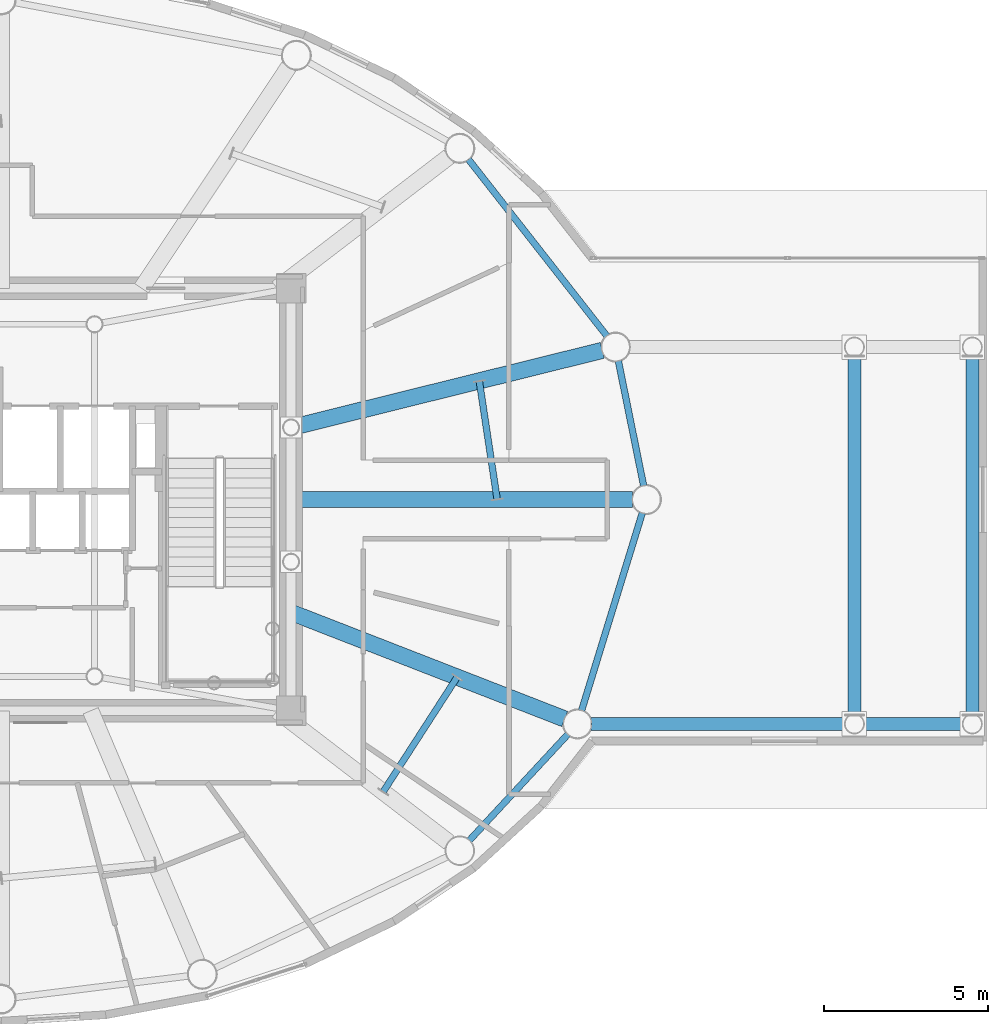
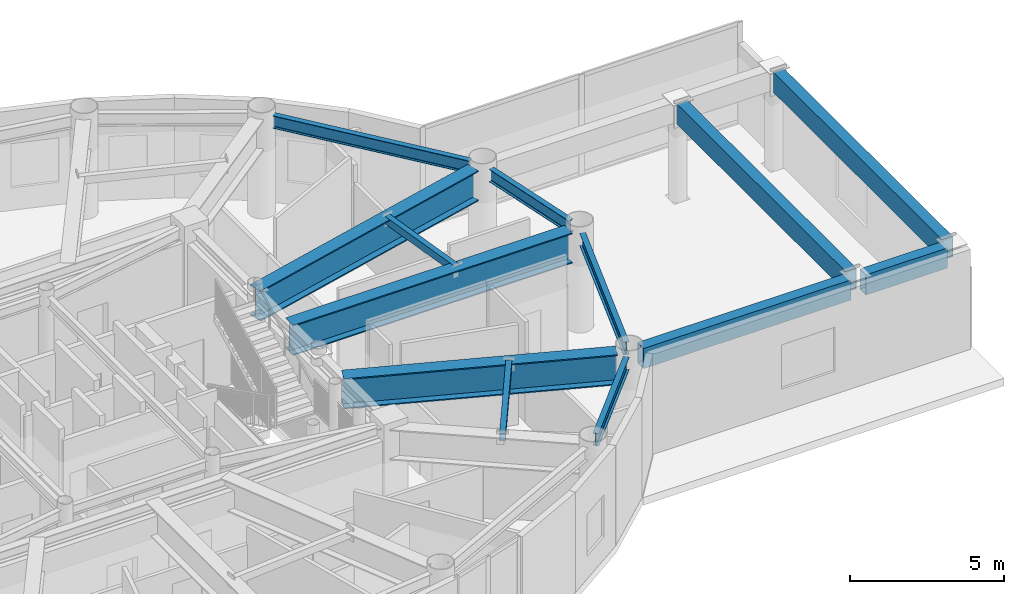
# One storey, part 11 of 26: 13 beams.
"""IFC4 building model written with IfcOpenShell, lengths in metres."""

from ifc_helpers import new_model, si_unit, direction, frame, origin, origin_2d, place, context, subcontext, project, spatial, hollow_rectangle, i_section, extrude, material, material_profile, profile_set, type_object, element, save


model = new_model("IFC4")

# Units and contexts
model_context = context("Model", 3, precision=1e-05, world=origin(), true_north=direction((0.0, 1.0)))
body_context = subcontext(model_context, "Body", "Model", "MODEL_VIEW")
ifc_project = project(units=[si_unit("LENGTHUNIT", "METRE"), si_unit("AREAUNIT", "SQUARE_METRE"), si_unit("VOLUMEUNIT", "CUBIC_METRE"), si_unit("PLANEANGLEUNIT", "RADIAN"), si_unit("MASSUNIT", "GRAM", prefix="KILO")], contexts=[model_context])

# Site, building, storey
site_placement = place(None, origin())
site = spatial("IfcSite", under=ifc_project, at=site_placement, CompositionType="ELEMENT")
building_placement = place(site_placement, origin())
building = spatial("IfcBuilding", under=site, at=building_placement, Name="Linh Dai School and Residence Tower", CompositionType="ELEMENT")
storey_placement = place(building_placement, frame((0.0, 0.0, 351.0)))
storey = spatial("IfcBuildingStorey", under=building, at=storey_placement, Name="L87", CompositionType="ELEMENT", Elevation=351.0)

# Beams
ifc_material = material(Name="Structural Steel S355JR", Category="steel")
ifc_material_profile_1 = material_profile(ifc_material, hollow_rectangle(XDim=0.199951171875, YDim=0.300048828125, WallThickness=0.010009765625, at=origin_2d()), Name="RHS 300x200x10")
ifc_profile_set_1 = profile_set([ifc_material_profile_1], Name="Structural Steel S355JR")
beam_type_1 = type_object("IfcBeamType", Name="BM-BX3", PredefinedType="BEAM", material=ifc_profile_set_1)
beam_1_placement = place(storey_placement, frame((51.142333984375, 27.0048828125, 3.800048828125), z_axis=(-0.149229268392, 0.988802622092, 0.0), x_axis=(-0.988802622092, -0.149229268392, 0.0)))
element("IfcBeam", 1, at=beam_1_placement, inside=storey, type_object=beam_type_1, Name="L87 Secondary Circumferential Floor Beam 01", PredefinedType="BEAM", context=body_context, shape_type="SweptSolid", body=[
    extrude(hollow_rectangle(XDim=0.199951171875, YDim=0.300048828125, WallThickness=0.010009765625, at=origin_2d()), origin(), (0.0, 0.0, 1.0), 3.6533203125),
])
beam_2_placement = place(storey_placement, frame((47.66162109375, 18.075927734375, 3.800048828125), z_axis=(0.542324541187, 0.840169085379, 0.0), x_axis=(-0.840169085379, 0.542324541187, 0.0)))
element("IfcBeam", 2, at=beam_2_placement, inside=storey, type_object=beam_type_1, Name="L87 Secondary Circumferential Floor Beam 08", PredefinedType="BEAM", context=body_context, shape_type="SweptSolid", body=[
    extrude(hollow_rectangle(XDim=0.199951171875, YDim=0.300048828125, WallThickness=0.010009765625, at=origin_2d()), origin(), (0.0, 0.0, 1.0), 4.163330078125),
])
ifc_material_profile_2 = material_profile(ifc_material, hollow_rectangle(XDim=0.39990234375, YDim=0.800048828125, WallThickness=0.02490234375, at=origin_2d()), Name="RHS 800x400x25")
ifc_profile_set_2 = profile_set([ifc_material_profile_2], Name="Structural Steel S355JR")
beam_type_2 = type_object("IfcBeamType", Name="BM-BX8", PredefinedType="BEAM", material=ifc_profile_set_2)
beam_3_placement = place(storey_placement, frame((54.01513671875, 20.1474609375, 3.550048828125), z_axis=(1.0, 0.0, 0.0), x_axis=(0.0, 1.0, 0.0)))
element("IfcBeam", 3, at=beam_3_placement, inside=storey, type_object=beam_type_2, Name="L87 Sky-Lounge Vierendeel Inner Chord S", PredefinedType="BEAM", context=body_context, shape_type="SweptSolid", body=[
    extrude(hollow_rectangle(XDim=0.39990234375, YDim=0.800048828125, WallThickness=0.02490234375, at=origin_2d()), origin(), (0.0, 0.0, 1.0), 7.759765625),
])
beam_4_placement = place(storey_placement, frame((62.324951171875, 20.1474609375, 3.550048828125), z_axis=(1.0, 0.0, 0.0), x_axis=(0.0, 1.0, 0.0)))
element("IfcBeam", 4, at=beam_4_placement, inside=storey, type_object=beam_type_2, Name="L87 Sky-Lounge Vierendeel Outer Chord S", PredefinedType="BEAM", context=body_context, shape_type="SweptSolid", body=[
    extrude(hollow_rectangle(XDim=0.39990234375, YDim=0.800048828125, WallThickness=0.02490234375, at=origin_2d()), origin(), (0.0, 0.0, 1.0), 3.050048828125),
])
for number, where, z_axis, x_axis, name in (
    (5, (62.050048828125, 20.42236328125, 3.550048828125), (0.0, 1.0, 0.0), (-1.0, 0.0, 0.0), "L87 Sky-Lounge Transverse Edge Girder MID"),
    (6, (65.64990234375, 20.42236328125, 3.550048828125), (0.0, 1.0, 0.0), (-1.0, 0.0, 0.0), "L87 Sky-Lounge Transverse Edge Girder TIP"),
):
    element("IfcBeam", number, at=place(storey_placement, frame(where, z_axis=z_axis, x_axis=x_axis)), inside=storey, type_object=beam_type_2, Name=name, PredefinedType="BEAM", context=body_context, shape_type="SweptSolid", body=[
        extrude(hollow_rectangle(XDim=0.39990234375, YDim=0.800048828125, WallThickness=0.02490234375, at=origin_2d()), origin(), (0.0, 0.0, 1.0), 10.957275390625),
    ])
ifc_material_profile_3 = material_profile(ifc_material, i_section(OverallWidth=0.199951171875, OverallDepth=0.5, WebThickness=0.01025390625, FlangeThickness=0.01611328125, FilletRadius=0.02099609375, at=origin_2d()), Name="IPE 500")
ifc_profile_set_3 = profile_set([ifc_material_profile_3], Name="Structural Steel S355JR")
beam_type_3 = type_object("IfcBeamType", Name="BM-RB50", PredefinedType="BEAM", material=ifc_profile_set_3)
beam_5_placement = place(storey_placement, frame((55.61669921875, 27.41162109375, 3.699951171875), z_axis=(-0.198409502721, 0.980119211744, 0.0), x_axis=(-0.980119211744, -0.198409502721, 0.0)))
element("IfcBeam", 7, at=beam_5_placement, inside=storey, type_object=beam_type_3, Name="L87 Perimeter Elliptical Ring Beam 01", PredefinedType="BEAM", context=body_context, shape_type="SweptSolid", body=[
    extrude(i_section(OverallWidth=0.199951171875, OverallDepth=0.5, WebThickness=0.01025390625, FlangeThickness=0.01611328125, FilletRadius=0.02099609375, at=origin_2d()), origin(), (0.0, 0.0, 1.0), 3.9091796875),
])
beam_6_placement = place(storey_placement, frame((54.498779296875, 31.9853515625, 3.699951171875), z_axis=(-0.616844770958, 0.787084829318, 0.0), x_axis=(-0.787084829318, -0.616844770958, 0.0)))
element("IfcBeam", 8, at=beam_6_placement, inside=storey, type_object=beam_type_3, Name="L87 Perimeter Elliptical Ring Beam 02", PredefinedType="BEAM", context=body_context, shape_type="SweptSolid", body=[
    extrude(i_section(OverallWidth=0.199951171875, OverallDepth=0.5, WebThickness=0.01025390625, FlangeThickness=0.01611328125, FilletRadius=0.02099609375, at=origin_2d()), origin(), (0.0, 0.0, 1.0), 6.869384765625),
])
beam_7_placement = place(storey_placement, frame((50.2880859375, 16.5849609375, 3.699951171875), z_axis=(0.680339330162, 0.732897261446, 0.0), x_axis=(-0.732897261446, 0.680339330162, 0.0)))
element("IfcBeam", 9, at=beam_7_placement, inside=storey, type_object=beam_type_3, Name="L87 Perimeter Elliptical Ring Beam 15", PredefinedType="BEAM", context=body_context, shape_type="SweptSolid", body=[
    extrude(i_section(OverallWidth=0.199951171875, OverallDepth=0.5, WebThickness=0.01025390625, FlangeThickness=0.01611328125, FilletRadius=0.02099609375, at=origin_2d()), origin(), (0.0, 0.0, 1.0), 4.440673828125),
])
beam_8_placement = place(storey_placement, frame((53.718505859375, 20.548828125, 3.699951171875), z_axis=(0.293606003102, 0.955926521728, 0.0), x_axis=(-0.955926521728, 0.293606003102, 0.0)))
element("IfcBeam", 10, at=beam_8_placement, inside=storey, type_object=beam_type_3, Name="L87 Perimeter Elliptical Ring Beam 16", PredefinedType="BEAM", context=body_context, shape_type="SweptSolid", body=[
    extrude(i_section(OverallWidth=0.199951171875, OverallDepth=0.5, WebThickness=0.01025390625, FlangeThickness=0.01611328125, FilletRadius=0.02099609375, at=origin_2d()), origin(), (0.0, 0.0, 1.0), 6.32861328125),
])
ifc_material_profile_4 = material_profile(ifc_material, i_section(OverallWidth=0.5, OverallDepth=1.199951171875, WebThickness=0.02392578125, FlangeThickness=0.044921875, at=origin_2d()), Name="PG 1200x500x24x45")
ifc_profile_set_4 = profile_set([ifc_material_profile_4], Name="Structural Steel S355JR")
beam_type_4 = type_object("IfcBeamType", Name="BM-TG12", PredefinedType="BEAM", material=ifc_profile_set_4)
beam_9_placement = place(storey_placement, frame((44.85009765625, 27.0, 3.35009765625), z_axis=(1.0, 0.0, 0.0), x_axis=(0.0, 1.0, 0.0)))
element("IfcBeam", 11, at=beam_9_placement, inside=storey, type_object=beam_type_4, Name="L87 Primary Radial Floor Girder 01", PredefinedType="BEAM", context=body_context, shape_type="SweptSolid", body=[
    extrude(i_section(OverallWidth=0.5, OverallDepth=1.199951171875, WebThickness=0.02392578125, FlangeThickness=0.044921875, at=origin_2d()), origin(), (0.0, 0.0, 1.0), 10.429931640625),
])
beam_10_placement = place(storey_placement, frame((44.85009765625, 29.196044921875, 3.35009765625), z_axis=(0.970563583495, 0.24084503398, 0.0), x_axis=(-0.24084503398, 0.970563583495, 0.0)))
element("IfcBeam", 12, at=beam_10_placement, inside=storey, type_object=beam_type_4, Name="L87 Primary Radial Floor Girder 02", PredefinedType="BEAM", context=body_context, shape_type="SweptSolid", body=[
    extrude(i_section(OverallWidth=0.5, OverallDepth=1.199951171875, WebThickness=0.02392578125, FlangeThickness=0.044921875, at=origin_2d()), origin(), (0.0, 0.0, 1.0), 9.7880859375),
])
beam_11_placement = place(storey_placement, frame((44.85009765625, 23.55322265625, 3.35009765625), z_axis=(0.931822607816, -0.362914077384, 0.0), x_axis=(0.362914077384, 0.931822607816, 0.0)))
element("IfcBeam", 13, at=beam_11_placement, inside=storey, type_object=beam_type_4, Name="L87 Primary Radial Floor Girder 16", PredefinedType="BEAM", context=body_context, shape_type="SweptSolid", body=[
    extrude(i_section(OverallWidth=0.5, OverallDepth=1.199951171875, WebThickness=0.02392578125, FlangeThickness=0.044921875, at=origin_2d()), origin(), (0.0, 0.0, 1.0), 8.964599609375),
])

save(model, "model.ifc")
